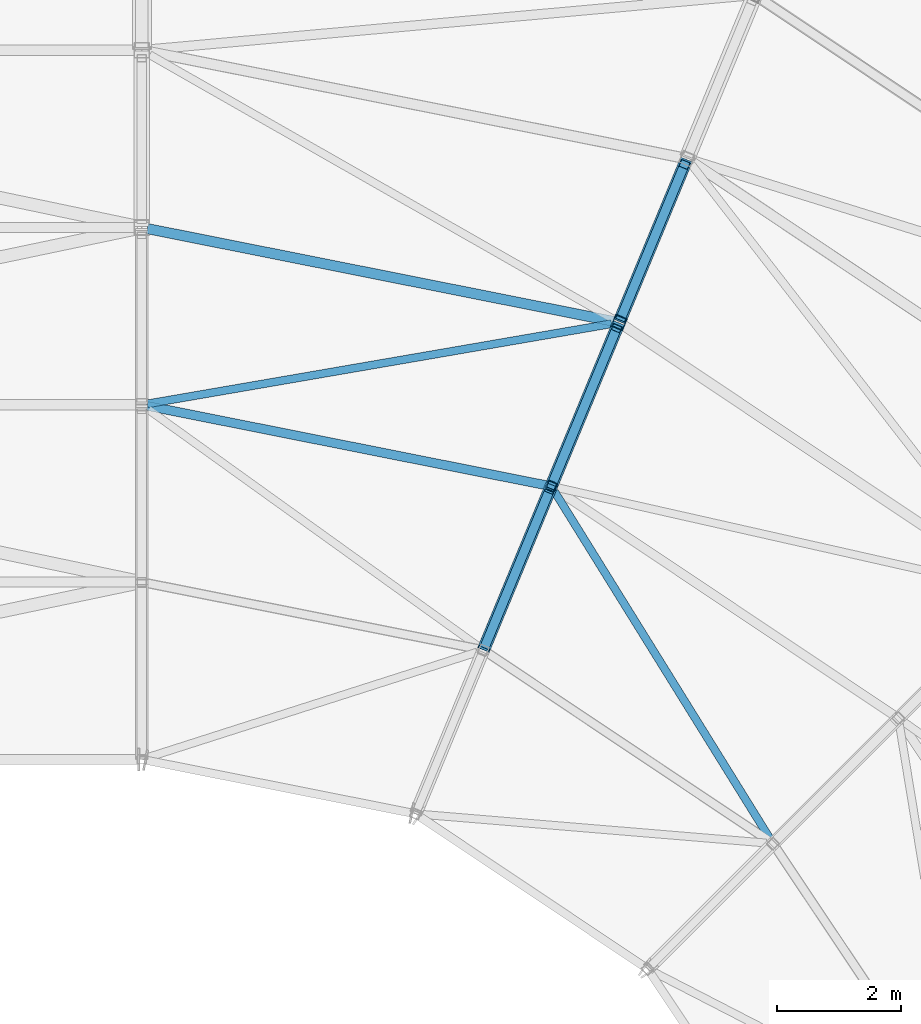
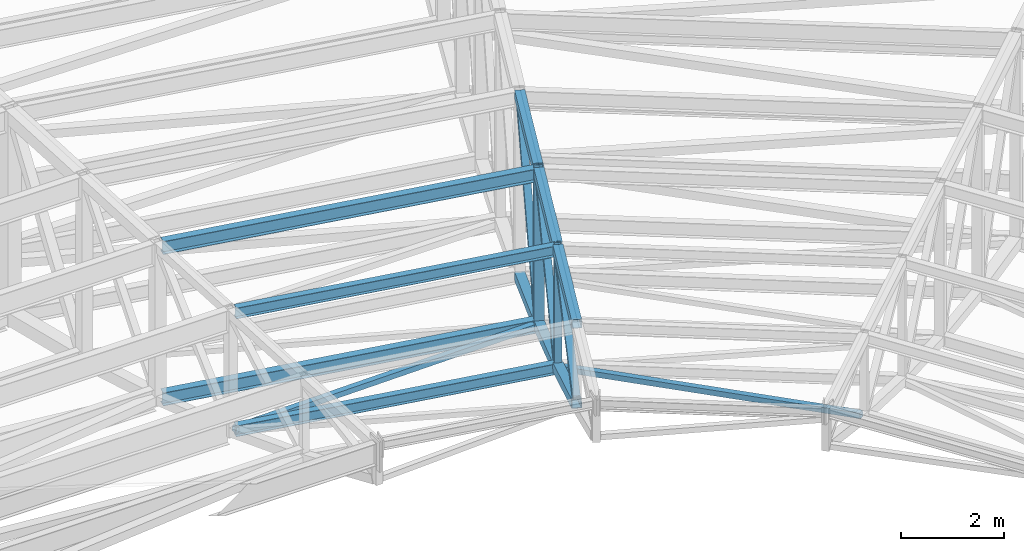
# One storey, part 85 of 278: 9 members, 8 beams.
"""IFC4 building model written with IfcOpenShell, lengths in metres."""

from ifc_helpers import new_model, si_unit, direction, frame, origin, origin_2d, place, context, subcontext, project, spatial, hollow_rectangle, i_section, extrude, material, material_profile, profile_set, type_object, element, save


model = new_model("IFC4")

# Units and contexts
model_context = context("Model", 3, precision=1e-05, world=origin(), true_north=direction((0.0, 1.0)))
body_context = subcontext(model_context, "Body", "Model", "MODEL_VIEW")
ifc_project = project(units=[si_unit("LENGTHUNIT", "METRE"), si_unit("AREAUNIT", "SQUARE_METRE"), si_unit("VOLUMEUNIT", "CUBIC_METRE"), si_unit("PLANEANGLEUNIT", "RADIAN"), si_unit("MASSUNIT", "GRAM", prefix="KILO")], contexts=[model_context])

# Site, building, storey
site_placement = place(None, origin())
site = spatial("IfcSite", under=ifc_project, at=site_placement, CompositionType="ELEMENT")
building_placement = place(site_placement, origin())
building = spatial("IfcBuilding", under=site, at=building_placement, Name="Ogive Plaza Stadium", CompositionType="ELEMENT")
storey_placement = place(building_placement, frame((0.0, 0.0, 29.0)))
storey = spatial("IfcBuildingStorey", under=building, at=storey_placement, Name="Roof", CompositionType="ELEMENT", Elevation=29.0)

# Members
ifc_material_1 = material(Name="Steel ASTM A500 Grade C", Category="steel")
ifc_material_profile_1 = material_profile(ifc_material_1, hollow_rectangle(XDim=0.126953125, YDim=0.126953125, WallThickness=0.005859375, at=origin_2d()), Name="HSS5X5X1/4")
ifc_profile_set_1 = profile_set([ifc_material_profile_1], Name="Steel ASTM A500 Grade C")
member_type_1 = type_object("IfcMemberType", Name="Roof plan brace HSS5X5X1/4", PredefinedType="BRACE", material=ifc_profile_set_1)
member_1_placement = place(storey_placement, frame((34.082763671875, 69.71435546875, 4.203125), z_axis=(0.977977485533, 0.168729355142, -0.122843162221), x_axis=(-0.170017047815, 0.985441121251, 0.0)))
element("IfcMember", 1, at=member_1_placement, inside=storey, type_object=member_type_1, Name="ROOF BRACE B37 3", PredefinedType="BRACE", context=body_context, shape_type="SweptSolid", body=[
    extrude(hollow_rectangle(XDim=0.126953125, YDim=0.126953125, WallThickness=0.005859375, at=origin_2d()), origin(), (0.0, 0.0, 1.0), 7.629638671875),
])
member_2_placement = place(storey_placement, frame((44.11376953125, 62.70068359375, 5.295654296875), z_axis=(-0.520585571833, 0.838776078421, -0.159515995024), x_axis=(-0.849655626385, -0.527337952885, 0.0)))
element("IfcMember", 2, at=member_2_placement, inside=storey, type_object=member_type_1, Name="ROOF BRACE B38 2", PredefinedType="BRACE", context=body_context, shape_type="SweptSolid", body=[
    extrude(hollow_rectangle(XDim=0.126953125, YDim=0.126953125, WallThickness=0.005859375, at=origin_2d()), origin(), (0.0, 0.0, 1.0), 6.673095703125),
])
ifc_material_2 = material(Name="Steel ASTM A992 Grade 50", Category="steel")
ifc_material_profile_2 = material_profile(ifc_material_2, i_section(OverallWidth=0.14599609375, OverallDepth=0.25830078125, WebThickness=0.006103515625, FlangeThickness=0.009033203125, at=origin_2d()), Name="W10X22")
ifc_profile_set_2 = profile_set([ifc_material_profile_2], Name="Steel ASTM A992 Grade 50")
member_type_2 = type_object("IfcMemberType", Name="Roof plan strut W10X22", PredefinedType="STRUT", material=ifc_profile_set_2)
member_3_placement = place(storey_placement, frame((34.08642578125, 69.682861328125, 4.213623046875), z_axis=(0.980783381188, -0.195099869772, 0.0), x_axis=(0.195099869772, 0.980783381188, 0.0)))
element("IfcMember", 3, at=member_3_placement, inside=storey, type_object=member_type_2, Name="ROOF STRUT B37 2", PredefinedType="STRUT", context=body_context, shape_type="SweptSolid", body=[
    extrude(i_section(OverallWidth=0.14599609375, OverallDepth=0.25830078125, WebThickness=0.006103515625, FlangeThickness=0.009033203125, at=origin_2d()), origin(), (0.0, 0.0, 1.0), 6.560791015625),
])
ifc_material_3 = material(Name="Steel ASTM A992 Grade 50", Category="steel")
ifc_material_profile_3 = material_profile(ifc_material_3, i_section(OverallWidth=0.164794921875, OverallDepth=0.310302734375, WebThickness=0.005859375, FlangeThickness=0.009765625, at=origin_2d()), Name="W12X26")
ifc_profile_set_3 = profile_set([ifc_material_profile_3], Name="Steel ASTM A992 Grade 50")
member_type_3 = type_object("IfcMemberType", Name="Roof plan strut W12X26", PredefinedType="STRUT", material=ifc_profile_set_3)
member_4_placement = place(storey_placement, frame((34.088134765625, 72.532470703125, 3.249755859375), z_axis=(0.9807828615, -0.195102482268, 0.0), x_axis=(0.195102482268, 0.9807828615, 0.0)))
element("IfcMember", 4, at=member_4_placement, inside=storey, type_object=member_type_3, Name="ROOF STRUT B37 3", PredefinedType="STRUT", context=body_context, shape_type="SweptSolid", body=[
    extrude(i_section(OverallWidth=0.164794921875, OverallDepth=0.310302734375, WebThickness=0.005859375, FlangeThickness=0.009765625, at=origin_2d()), origin(), (0.0, 0.0, 1.0), 7.643310546875),
])
ifc_material_4 = material(Name="Steel ASTM A992 Grade 50", Category="steel")
ifc_material_profile_4 = material_profile(ifc_material_4, i_section(OverallWidth=0.14599609375, OverallDepth=0.25830078125, WebThickness=0.006103515625, FlangeThickness=0.009033203125, at=origin_2d()), Name="W10X22")
ifc_profile_set_4 = profile_set([ifc_material_profile_4], Name="Steel ASTM A992 Grade 50")
member_type_4 = type_object("IfcMemberType", Name="Roof purlin W10X22", PredefinedType="PURLIN", material=ifc_profile_set_4)
member_5_placement = place(storey_placement, frame((34.08642578125, 69.682861328125, 7.0107421875), z_axis=(0.980783381188, -0.195099869772, 0.0), x_axis=(0.195099869772, 0.980783381188, 0.0)))
element("IfcMember", 5, at=member_5_placement, inside=storey, type_object=member_type_4, Name="ROOF PURLIN B37 2", PredefinedType="PURLIN", context=body_context, shape_type="SweptSolid", body=[
    extrude(i_section(OverallWidth=0.14599609375, OverallDepth=0.25830078125, WebThickness=0.006103515625, FlangeThickness=0.009033203125, at=origin_2d()), origin(), (0.0, 0.0, 1.0), 6.560791015625),
])
ifc_material_5 = material(Name="Steel ASTM A992 Grade 50", Category="steel")
ifc_material_profile_5 = material_profile(ifc_material_5, i_section(OverallWidth=0.164794921875, OverallDepth=0.310302734375, WebThickness=0.005859375, FlangeThickness=0.009765625, at=origin_2d()), Name="W12X26")
ifc_profile_set_5 = profile_set([ifc_material_profile_5], Name="Steel ASTM A992 Grade 50")
member_type_5 = type_object("IfcMemberType", Name="Roof purlin W12X26", PredefinedType="PURLIN", material=ifc_profile_set_5)
member_6_placement = place(storey_placement, frame((34.088134765625, 72.532470703125, 6.84228515625), z_axis=(0.9807828615, -0.195102482268, 0.0), x_axis=(0.195102482268, 0.9807828615, 0.0)))
element("IfcMember", 6, at=member_6_placement, inside=storey, type_object=member_type_5, Name="ROOF PURLIN B37 3", PredefinedType="PURLIN", context=body_context, shape_type="SweptSolid", body=[
    extrude(i_section(OverallWidth=0.164794921875, OverallDepth=0.310302734375, WebThickness=0.005859375, FlangeThickness=0.009765625, at=origin_2d()), origin(), (0.0, 0.0, 1.0), 7.643310546875),
])

# Beams
ifc_material_6 = material(Name="Steel ASTM A500 Grade C", Category="steel")
ifc_material_profile_6 = material_profile(ifc_material_6, hollow_rectangle(XDim=0.203125, YDim=0.203125, WallThickness=0.01171875, at=origin_2d()), Name="HSS8X8X1/2")
ifc_profile_set_6 = profile_set([ifc_material_profile_6], Name="Steel ASTM A500 Grade C")
beam_type_1 = type_object("IfcBeamType", Name="Roof truss bottom chord HSS8X8X1/2", PredefinedType="BEAM", material=ifc_profile_set_6)
beam_1_placement = place(storey_placement, frame((39.50537109375, 65.791259765625, 5.299072265625), z_axis=(0.357350015784, 0.862700869161, -0.357838198866), x_axis=(-0.923876649068, 0.38269039354, 0.0)))
element("IfcBeam", 7, at=beam_1_placement, inside=storey, type_object=beam_type_1, Name="ROOF TRUSS T38 BOTTOM CHORD 2", PredefinedType="BEAM", context=body_context, shape_type="SweptSolid", body=[
    extrude(hollow_rectangle(XDim=0.203125, YDim=0.203125, WallThickness=0.01171875, at=origin_2d()), origin(), (0.0, 0.0, 1.0), 3.00048828125),
])
beam_2_placement = place(storey_placement, frame((40.5947265625, 68.4208984375, 4.208251953125), z_axis=(0.362478322525, 0.875211905582, -0.320333554327), x_axis=(-0.923896818654, 0.382641697258, 0.0)))
element("IfcBeam", 8, at=beam_2_placement, inside=storey, type_object=beam_type_1, Name="ROOF TRUSS T38 BOTTOM CHORD 3", PredefinedType="BEAM", context=body_context, shape_type="SweptSolid", body=[
    extrude(hollow_rectangle(XDim=0.203125, YDim=0.203125, WallThickness=0.01171875, at=origin_2d()), origin(), (0.0, 0.0, 1.0), 2.93115234375),
])
beam_3_placement = place(storey_placement, frame((41.689697265625, 71.064697265625, 3.2412109375), z_axis=(0.36727087962, 0.886574426433, -0.281243466376), x_axis=(-0.923864895024, 0.382718768474, 0.0)))
element("IfcBeam", 9, at=beam_3_placement, inside=storey, type_object=beam_type_1, Name="ROOF TRUSS T38 BOTTOM CHORD 4", PredefinedType="BEAM", context=body_context, shape_type="SweptSolid", body=[
    extrude(hollow_rectangle(XDim=0.203125, YDim=0.203125, WallThickness=0.01171875, at=origin_2d()), origin(), (0.0, 0.0, 1.0), 2.877685546875),
])

# Members
ifc_material_7 = material(Name="Steel ASTM A500 Grade C", Category="steel")
ifc_material_profile_7 = material_profile(ifc_material_7, hollow_rectangle(XDim=0.15234375, YDim=0.15234375, WallThickness=0.005859375, at=origin_2d()), Name="HSS6X6X1/4")
ifc_profile_set_7 = profile_set([ifc_material_profile_7], Name="Steel ASTM A500 Grade C")
member_type_6 = type_object("IfcMemberType", Name="Roof truss diagonal HSS6X6X1/4", PredefinedType="BRACE", material=ifc_profile_set_7)
member_7_placement = place(storey_placement, frame((39.520751953125, 65.828125, 5.407470703125), z_axis=(0.332885582198, 0.803712399025, 0.493187153947), x_axis=(-0.923888877324, 0.382660871212, 0.0)))
element("IfcMember", 10, at=member_7_placement, inside=storey, type_object=member_type_6, Name="ROOF TRUSS T38 DIAGONAL 2", PredefinedType="BRACE", context=body_context, shape_type="SweptSolid", body=[
    extrude(hollow_rectangle(XDim=0.15234375, YDim=0.15234375, WallThickness=0.005859375, at=origin_2d()), origin(), (0.0, 0.0, 1.0), 3.100830078125),
])
member_8_placement = place(storey_placement, frame((40.611328125, 68.461181640625, 4.315185546875), z_axis=(0.280576599819, 0.677295435038, 0.680108568767), x_axis=(-0.923864270577, 0.382720275855, 0.0)))
element("IfcMember", 11, at=member_8_placement, inside=storey, type_object=member_type_6, Name="ROOF TRUSS T38 DIAGONAL 3", PredefinedType="BRACE", context=body_context, shape_type="SweptSolid", body=[
    extrude(hollow_rectangle(XDim=0.15234375, YDim=0.15234375, WallThickness=0.005859375, at=origin_2d()), origin(), (0.0, 0.0, 1.0), 3.64501953125),
])
member_9_placement = place(storey_placement, frame((41.711669921875, 71.11767578125, 3.3515625), z_axis=(0.239434593828, 0.578013230123, 0.780110108306), x_axis=(-0.923871804697, 0.382702088427, 0.0)))
element("IfcMember", 12, at=member_9_placement, inside=storey, type_object=member_type_6, Name="ROOF TRUSS T38 DIAGONAL 4", PredefinedType="BRACE", context=body_context, shape_type="SweptSolid", body=[
    extrude(hollow_rectangle(XDim=0.15234375, YDim=0.15234375, WallThickness=0.005859375, at=origin_2d()), origin(), (0.0, 0.0, 1.0), 4.23046875),
])

# Beams
ifc_material_8 = material(Name="Steel ASTM A500 Grade C", Category="steel")
ifc_material_profile_8 = material_profile(ifc_material_8, hollow_rectangle(XDim=0.15234375, YDim=0.15234375, WallThickness=0.0087890625, at=origin_2d()), Name="HSS6X6X3/8")
ifc_profile_set_8 = profile_set([ifc_material_profile_8], Name="Steel ASTM A500 Grade C")
beam_type_2 = type_object("IfcBeamType", Name="Roof truss post HSS6X6X3/8", PredefinedType="BEAM", material=ifc_profile_set_8)
beam_4_placement = place(storey_placement, frame((40.582275390625, 68.390625, 4.112060546875), z_axis=(0.0, 0.0, 1.0), x_axis=(-0.923879532511, 0.382683432365, 0.0)))
element("IfcBeam", 13, at=beam_4_placement, inside=storey, type_object=beam_type_2, Name="ROOF TRUSS T38 POST 3", PredefinedType="BEAM", context=body_context, shape_type="SweptSolid", body=[
    extrude(hollow_rectangle(XDim=0.15234375, YDim=0.15234375, WallThickness=0.0087890625, at=origin_2d()), origin(), (0.0, 0.0, 1.0), 3.02783203125),
])
ifc_material_9 = material(Name="Steel ASTM A500 Grade C", Category="steel")
ifc_material_profile_9 = material_profile(ifc_material_9, hollow_rectangle(XDim=0.203125, YDim=0.203125, WallThickness=0.0087890625, at=origin_2d()), Name="HSS8X8X3/8")
ifc_profile_set_9 = profile_set([ifc_material_profile_9], Name="Steel ASTM A500 Grade C")
beam_type_3 = type_object("IfcBeamType", Name="Roof truss post HSS8X8X3/8", PredefinedType="BEAM", material=ifc_profile_set_9)
beam_5_placement = place(storey_placement, frame((41.6728515625, 71.023681640625, 3.148193359375), z_axis=(0.0, 0.0, 1.0), x_axis=(-0.923879532511, 0.382683432365, 0.0)))
element("IfcBeam", 14, at=beam_5_placement, inside=storey, type_object=beam_type_3, Name="ROOF TRUSS T38 POST 4", PredefinedType="BEAM", context=body_context, shape_type="SweptSolid", body=[
    extrude(hollow_rectangle(XDim=0.203125, YDim=0.203125, WallThickness=0.0087890625, at=origin_2d()), origin(), (0.0, 0.0, 1.0), 3.849365234375),
])
ifc_material_10 = material(Name="Steel ASTM A500 Grade C", Category="steel")
ifc_material_profile_10 = material_profile(ifc_material_10, hollow_rectangle(XDim=0.203125, YDim=0.203125, WallThickness=0.0087890625, at=origin_2d()), Name="HSS8X8X3/8")
ifc_profile_set_10 = profile_set([ifc_material_profile_10], Name="Steel ASTM A500 Grade C")
beam_type_4 = type_object("IfcBeamType", Name="Roof truss top chord HSS8X8X3/8", PredefinedType="BEAM", material=ifc_profile_set_10)
beam_6_placement = place(storey_placement, frame((39.50732421875, 65.795654296875, 7.1787109375), z_axis=(0.382170146482, 0.922740920758, -0.049951699644), x_axis=(-0.923894278368, 0.382647830777, 0.0)))
element("IfcBeam", 15, at=beam_6_placement, inside=storey, type_object=beam_type_4, Name="ROOF TRUSS T38 TOP CHORD 2", PredefinedType="BEAM", context=body_context, shape_type="SweptSolid", body=[
    extrude(hollow_rectangle(XDim=0.203125, YDim=0.203125, WallThickness=0.0087890625, at=origin_2d()), origin(), (0.0, 0.0, 1.0), 2.771240234375),
])
beam_7_placement = place(storey_placement, frame((40.597900390625, 68.4287109375, 7.0361328125), z_axis=(0.382176583821, 0.922739022917, -0.049937504593), x_axis=(-0.923891721509, 0.382654004196, 0.0)))
element("IfcBeam", 16, at=beam_7_placement, inside=storey, type_object=beam_type_4, Name="ROOF TRUSS T38 TOP CHORD 3", PredefinedType="BEAM", context=body_context, shape_type="SweptSolid", body=[
    extrude(hollow_rectangle(XDim=0.203125, YDim=0.203125, WallThickness=0.0087890625, at=origin_2d()), origin(), (0.0, 0.0, 1.0), 2.76220703125),
])
beam_8_placement = place(storey_placement, frame((41.69189453125, 71.070068359375, 6.893310546875), z_axis=(0.382258780814, 0.922705839284, -0.049921524843), x_axis=(-0.923857757469, 0.382735997737, 0.0)))
element("IfcBeam", 17, at=beam_8_placement, inside=storey, type_object=beam_type_4, Name="ROOF TRUSS T38 TOP CHORD 4", PredefinedType="BEAM", context=body_context, shape_type="SweptSolid", body=[
    extrude(hollow_rectangle(XDim=0.203125, YDim=0.203125, WallThickness=0.0087890625, at=origin_2d()), origin(), (0.0, 0.0, 1.0), 2.75341796875),
])

save(model, "model.ifc")
